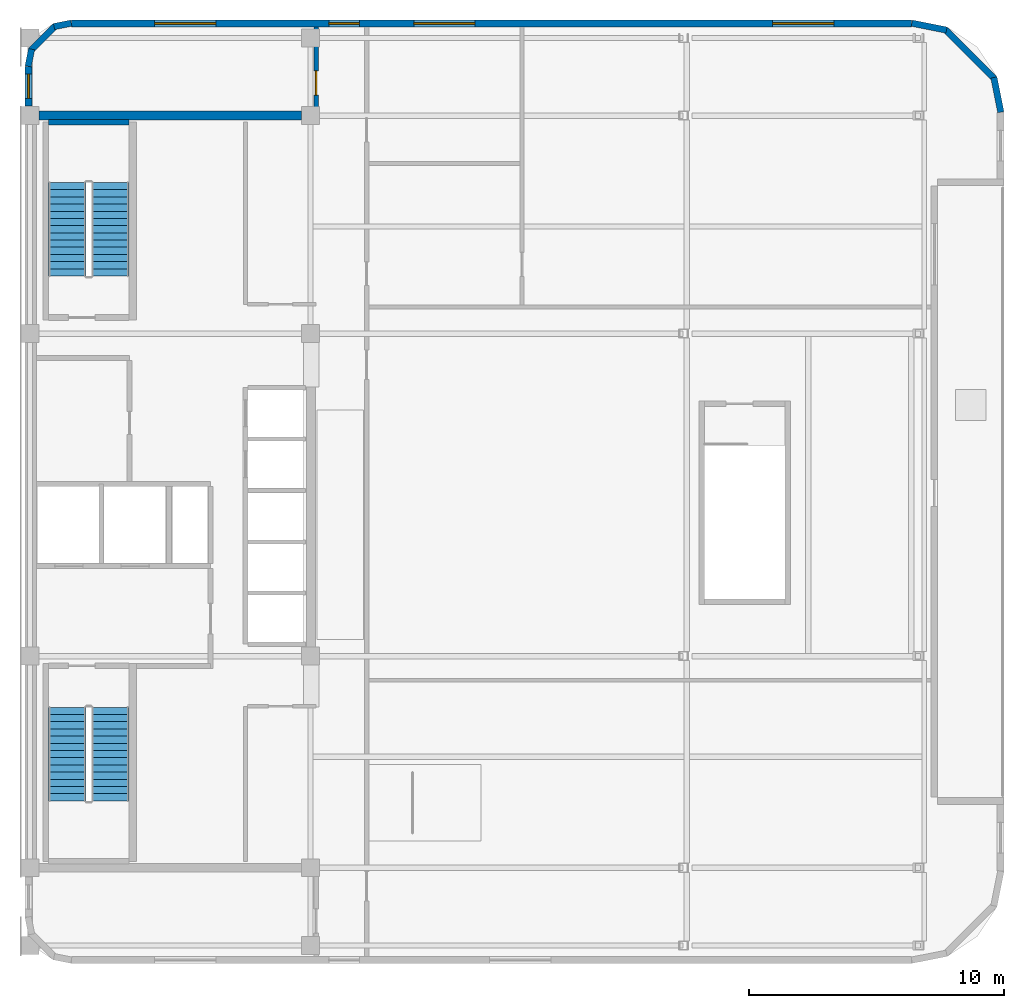
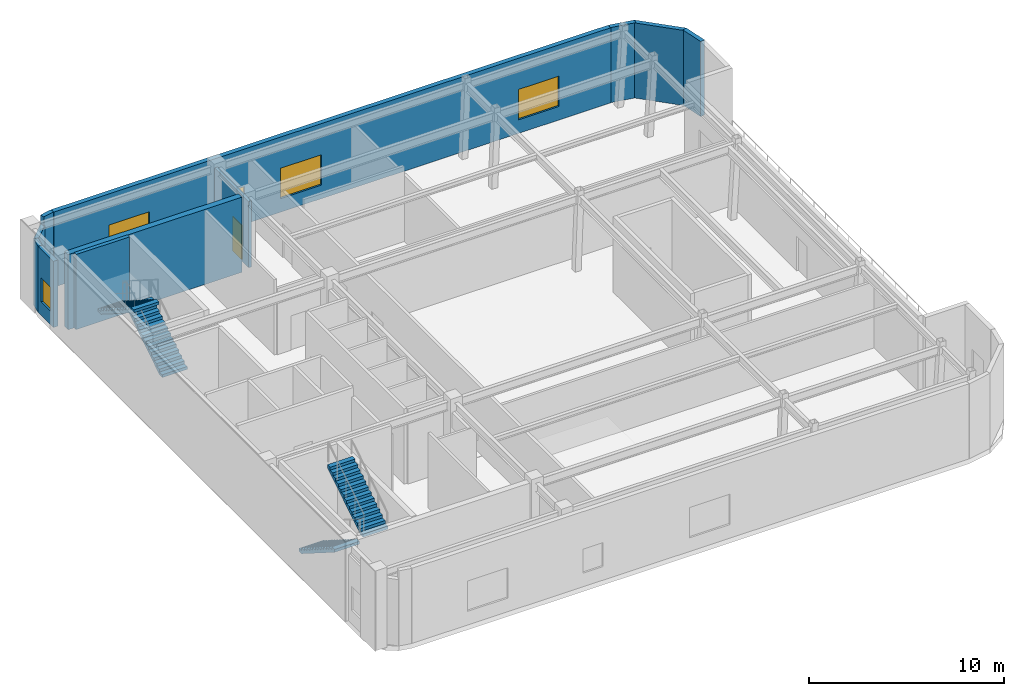
# One storey, part 4 of 6: 11 walls, 5 windows, 4 stair flights, 1 door, 6 openings, 2 elements without a shape of their own.
"""IFC4 building model written with IfcOpenShell, lengths in metres."""

from ifc_helpers import new_model, si_unit, direction, frame, frame_2d, origin, place, context, subcontext, project, spatial, polyline, rectangle, outline, extrude, material, layer, layer_set, type_object, element, fill, aggregate, save


model = new_model("IFC4")

# Units and contexts
model_context = context("Model", 3, precision=1e-05, world=origin(), true_north=direction((0.0, 1.0)))
body_context = subcontext(model_context, "Body", "Model", "MODEL_VIEW")
ifc_project = project(units=[si_unit("LENGTHUNIT", "METRE"), si_unit("AREAUNIT", "SQUARE_METRE"), si_unit("VOLUMEUNIT", "CUBIC_METRE"), si_unit("PLANEANGLEUNIT", "RADIAN"), si_unit("MASSUNIT", "GRAM", prefix="KILO")], contexts=[model_context])

# Site, building, storey
site_placement = place(None, origin())
site = spatial("IfcSite", under=ifc_project, at=site_placement, CompositionType="ELEMENT")
building_placement = place(site_placement, origin())
building = spatial("IfcBuilding", under=site, at=building_placement, Name="Ochreholt Gables", CompositionType="ELEMENT")
storey_placement = place(building_placement, frame((0.0, 0.0, 282.0)))
storey = spatial("IfcBuildingStorey", under=building, at=storey_placement, Name="L74", CompositionType="ELEMENT", Elevation=282.0)

# Wall
ifc_material_1 = material(Name="Concrete 50 MPa", Category="concrete")
ifc_layer_1 = layer(ifc_material_1, 0.35009765625, Name="Concrete 50 MPa")
ifc_layer_set_1 = layer_set([ifc_layer_1], Name="Concrete 50 MPa")
wall_type_1 = type_object("IfcWallType", Name="WALL-CSW-350", PredefinedType="SHEAR", material=ifc_layer_set_1)
wall_1_placement = place(storey_placement, frame((24.550048828125, 38.75, 0.0), z_axis=(0.0, 0.0, 1.0), x_axis=(1.0, 0.0, 0.0)))
element("IfcWall", 1, at=wall_1_placement, inside=storey, type_object=wall_type_1, Name="L74 Core North Shear Wall", PredefinedType="SHEAR", context=body_context, shape_type="SweptSolid", body=[
    extrude(rectangle(XDim=10.300048828125, YDim=0.35009765625, at=frame_2d((5.14990234375, 0.0))), origin(), (0.0, 0.0, 1.0), 4.699951171875),
])

# Wall, openings, windows
ifc_material_2 = material(Name="Precast concrete 40 MPa", Category="concrete")
ifc_layer_2 = layer(ifc_material_2, 0.27001953125, Name="Precast concrete 40 MPa")
ifc_layer_set_2 = layer_set([ifc_layer_2], Name="Precast concrete 40 MPa")
wall_type_2 = type_object("IfcWallType", Name="WALL-EXT-270", PredefinedType="SOLIDWALL", material=ifc_layer_set_2)
wall_2_placement = place(storey_placement, frame((58.780029296875, 42.364990234375, 0.0), z_axis=(0.0, 0.0, 1.0), x_axis=(-1.0, 0.0, 0.0)))
wall_2 = element("IfcWall", 2, at=wall_2_placement, inside=storey, type_object=wall_type_2, Name="L74 North Exterior Wall", PredefinedType="SOLIDWALL", context=body_context, shape_type="SweptSolid", body=[
    extrude(rectangle(XDim=32.9599609375, YDim=0.27001953125, at=frame_2d((16.47998046875, 0.0))), origin(), (0.0, 0.0, 1.0), 4.699951171875),
])
opening_1_placement = place(wall_2_placement, frame((27.2900390625, 0.0, 0.85009765625)))
opening_1 = element("IfcOpeningElement", 3, at=opening_1_placement, cuts=wall_2, Name="Opening WN-5", PredefinedType="OPENING", context=body_context, shape_type="SweptSolid", body=[
    extrude(rectangle(XDim=2.39990234375, YDim=1.89990234375, at=frame_2d((1.199951171875, 0.949951171875))), frame((0.0, 0.14501953125, 0.0), z_axis=(0.0, -1.0, 0.0), x_axis=(1.0, 0.0, 0.0)), (0.0, 0.0, 1.0), 0.2900390625),
])
opening_2_placement = place(wall_2_placement, frame((21.659912109375, 0.0, 0.85009765625)))
opening_2 = element("IfcOpeningElement", 4, at=opening_2_placement, cuts=wall_2, Name="Opening WN-3", PredefinedType="OPENING", context=body_context, shape_type="SweptSolid", body=[
    extrude(rectangle(XDim=1.199951171875, YDim=1.5, at=frame_2d((0.60009765625, 0.75))), frame((0.0, 0.14501953125, 0.0), z_axis=(0.0, -1.0, 0.0), x_axis=(1.0, 0.0, 0.0)), (0.0, 0.0, 1.0), 0.2900390625),
])
opening_3_placement = place(wall_2_placement, frame((17.1298828125, 0.0, 0.85009765625)))
opening_3 = element("IfcOpeningElement", 5, at=opening_3_placement, cuts=wall_2, Name="Opening WN-5", PredefinedType="OPENING", context=body_context, shape_type="SweptSolid", body=[
    extrude(rectangle(XDim=2.39990234375, YDim=1.89990234375, at=frame_2d((1.199951171875, 0.949951171875))), frame((0.0, 0.14501953125, 0.0), z_axis=(0.0, -1.0, 0.0), x_axis=(1.0, 0.0, 0.0)), (0.0, 0.0, 1.0), 0.2900390625),
])
opening_4_placement = place(wall_2_placement, frame((3.054443359375, 0.0, 0.85009765625)))
opening_4 = element("IfcOpeningElement", 6, at=opening_4_placement, cuts=wall_2, Name="Opening WN-5", PredefinedType="OPENING", context=body_context, shape_type="SweptSolid", body=[
    extrude(rectangle(XDim=2.39990234375, YDim=1.89990234375, at=frame_2d((1.199951171875, 0.949951171875))), frame((0.0, 0.14501953125, 0.0), z_axis=(0.0, -1.0, 0.0), x_axis=(1.0, 0.0, 0.0)), (0.0, 0.0, 1.0), 0.2900390625),
])
ifc_material_3 = material(Name="Triple-Glazed Thermally Broken Aluminium Window", Category="aluminium")
window_type_1 = type_object("IfcWindowType", Name="WIN-COM-2400", PartitioningType="SINGLE_PANEL", PredefinedType="WINDOW", material=ifc_material_3)
window_1_placement = place(opening_1_placement, origin())
window_1 = element("IfcWindow", 7, at=window_1_placement, inside=storey, type_object=window_type_1, Name="L74 Window W-EXT-N-L74-1", OverallHeight=1.89990234375, OverallWidth=2.39990234375, PartitioningType="SINGLE_PANEL", PredefinedType="WINDOW", context=body_context, shape_type="SweptSolid", body=[
    extrude(rectangle(XDim=2.39990234375, YDim=1.89990234375, at=frame_2d((1.199951171875, 0.949951171875))), frame((0.0, 0.030029296875, 0.0), z_axis=(0.0, -1.0, 0.0), x_axis=(1.0, 0.0, 0.0)), (0.0, 0.0, 1.0), 0.06005859375),
])
fill(opening_1, window_1)
window_2_placement = place(opening_3_placement, origin())
window_2 = element("IfcWindow", 8, at=window_2_placement, inside=storey, type_object=window_type_1, Name="L74 Window W-EXT-N-L74-3", OverallHeight=1.89990234375, OverallWidth=2.39990234375, PartitioningType="SINGLE_PANEL", PredefinedType="WINDOW", context=body_context, shape_type="SweptSolid", body=[
    extrude(rectangle(XDim=2.39990234375, YDim=1.89990234375, at=frame_2d((1.199951171875, 0.949951171875))), frame((0.0, 0.030029296875, 0.0), z_axis=(0.0, -1.0, 0.0), x_axis=(1.0, 0.0, 0.0)), (0.0, 0.0, 1.0), 0.06005859375),
])
fill(opening_3, window_2)
window_3_placement = place(opening_4_placement, origin())
window_3 = element("IfcWindow", 9, at=window_3_placement, inside=storey, type_object=window_type_1, Name="L74 Window W-EXT-N-L74-4", OverallHeight=1.89990234375, OverallWidth=2.39990234375, PartitioningType="SINGLE_PANEL", PredefinedType="WINDOW", context=body_context, shape_type="SweptSolid", body=[
    extrude(rectangle(XDim=2.39990234375, YDim=1.89990234375, at=frame_2d((1.199951171875, 0.949951171875))), frame((0.0, 0.030029296875, 0.0), z_axis=(0.0, -1.0, 0.0), x_axis=(1.0, 0.0, 0.0)), (0.0, 0.0, 1.0), 0.06005859375),
])
fill(opening_4, window_3)
window_type_2 = type_object("IfcWindowType", Name="WIN-RES-1200", PartitioningType="SINGLE_PANEL", PredefinedType="WINDOW", material=ifc_material_3)
window_4_placement = place(opening_2_placement, origin())
window_4 = element("IfcWindow", 10, at=window_4_placement, inside=storey, type_object=window_type_2, Name="L74 Window W-EXT-N-L74-2", OverallHeight=1.5, OverallWidth=1.199951171875, PartitioningType="SINGLE_PANEL", PredefinedType="WINDOW", context=body_context, shape_type="SweptSolid", body=[
    extrude(rectangle(XDim=1.199951171875, YDim=1.5, at=frame_2d((0.60009765625, 0.75))), frame((0.0, 0.030029296875, 0.0), z_axis=(0.0, -1.0, 0.0), x_axis=(1.0, 0.0, 0.0)), (0.0, 0.0, 1.0), 0.06005859375),
])
fill(opening_2, window_4)

# Wall, opening, window
wall_3_placement = place(storey_placement, frame((24.135009765625, 39.1201171875, 0.0), z_axis=(0.0, 0.0, 1.0), x_axis=(0.0, 1.0, 0.0)))
wall_3 = element("IfcWall", 11, at=wall_3_placement, inside=storey, type_object=wall_type_2, Name="L74 West Facade North Bay Wall", PredefinedType="SOLIDWALL", context=body_context, shape_type="SweptSolid", body=[
    extrude(rectangle(XDim=1.559814453125, YDim=0.27001953125, at=frame_2d((0.77978515625, 0.0))), origin(), (0.0, 0.0, 1.0), 4.14306640625),
])
opening_5_placement = place(wall_3_placement, frame((0.304931640625, 0.0, 0.85009765625)))
opening_5 = element("IfcOpeningElement", 12, at=opening_5_placement, cuts=wall_3, Name="Opening WN-10", PredefinedType="OPENING", context=body_context, shape_type="SweptSolid", body=[
    extrude(rectangle(XDim=0.949951171875, YDim=1.5, at=frame_2d((0.47509765625, 0.75))), frame((0.0, 0.14501953125, 0.0), z_axis=(0.0, -1.0, 0.0), x_axis=(1.0, 0.0, 0.0)), (0.0, 0.0, 1.0), 0.2900390625),
])
window_type_3 = type_object("IfcWindowType", Name="WIN-RES-950", PartitioningType="SINGLE_PANEL", PredefinedType="WINDOW", material=ifc_material_3)
window_5_placement = place(opening_5_placement, origin())
window_5 = element("IfcWindow", 13, at=window_5_placement, inside=storey, type_object=window_type_3, Name="L74 North Sky Reading West Window", OverallHeight=1.5, OverallWidth=0.949951171875, PartitioningType="SINGLE_PANEL", PredefinedType="WINDOW", context=body_context, shape_type="SweptSolid", body=[
    extrude(rectangle(XDim=0.949951171875, YDim=1.5, at=frame_2d((0.47509765625, 0.75))), frame((0.0, 0.030029296875, 0.0), z_axis=(0.0, -1.0, 0.0), x_axis=(1.0, 0.0, 0.0)), (0.0, 0.0, 1.0), 0.06005859375),
])
fill(opening_5, window_5)

# Walls
ifc_layer_3 = layer(ifc_material_2, 0.25, Name="Precast concrete 40 MPa")
ifc_layer_set_3 = layer_set([ifc_layer_3], Name="Precast concrete 40 MPa")
wall_type_3 = type_object("IfcWallType", Name="WALL-EXT-CNR", PredefinedType="SOLIDWALL", material=ifc_layer_set_3)
wall_4_placement = place(storey_placement, frame((62.27587890625, 38.883544921875, 0.0), z_axis=(0.0, 0.0, 1.0), x_axis=(-0.195135625965, 0.9807762678, 0.0)))
element("IfcWall", 14, at=wall_4_placement, inside=storey, type_object=wall_type_3, Name="L74 Rounded Corner Wall NE-1", PredefinedType="SOLIDWALL", context=body_context, shape_type="SweptSolid", body=[
    extrude(rectangle(XDim=1.388671875, YDim=0.25, at=frame_2d((0.6943359375, 0.0))), origin(), (0.0, 0.0, 1.0), 4.699951171875),
])
wall_5_placement = place(storey_placement, frame((62.031982421875, 40.195068359375, 0.0), z_axis=(0.0, 0.0, 1.0), x_axis=(-0.707106781187, 0.707106781187, 0.0)))
element("IfcWall", 15, at=wall_5_placement, inside=storey, type_object=wall_type_3, Name="L74 Rounded Corner Wall NE-2", PredefinedType="SOLIDWALL", context=body_context, shape_type="SweptSolid", body=[
    extrude(rectangle(XDim=2.7392578125, YDim=0.25, at=frame_2d((1.36962890625, 0.0))), origin(), (0.0, 0.0, 1.0), 4.699951171875),
])
wall_6_placement = place(storey_placement, frame((60.1455078125, 42.10498046875, 0.0), z_axis=(0.0, 0.0, 1.0), x_axis=(-0.980809899341, 0.19496651342, 0.0)))
element("IfcWall", 16, at=wall_6_placement, inside=storey, type_object=wall_type_3, Name="L74 Rounded Corner Wall NE-3", PredefinedType="SOLIDWALL", context=body_context, shape_type="SweptSolid", body=[
    extrude(rectangle(XDim=1.388671875, YDim=0.25, at=frame_2d((0.6943359375, 0.0))), origin(), (0.0, 0.0, 1.0), 4.699951171875),
])
wall_7_placement = place(storey_placement, frame((25.81640625, 42.375732421875, 0.0), z_axis=(0.0, 0.0, 1.0), x_axis=(-0.980812594069, -0.194952956674, 0.0)))
element("IfcWall", 17, at=wall_7_placement, inside=storey, type_object=wall_type_3, Name="L74 Rounded Corner Wall NW-1", PredefinedType="SOLIDWALL", context=body_context, shape_type="SweptSolid", body=[
    extrude(rectangle(XDim=0.686279296875, YDim=0.25, at=frame_2d((0.34326171875, 0.0))), origin(), (0.0, 0.0, 1.0), 4.699951171875),
])
wall_8_placement = place(storey_placement, frame((25.19384765625, 42.26904296875, 0.0), z_axis=(0.0, 0.0, 1.0), x_axis=(-0.707106781187, -0.707106781187, 0.0)))
element("IfcWall", 18, at=wall_8_placement, inside=storey, type_object=wall_type_3, Name="L74 Rounded Corner Wall NW-2", PredefinedType="SOLIDWALL", context=body_context, shape_type="SweptSolid", body=[
    extrude(rectangle(XDim=1.36181640625, YDim=0.25, at=frame_2d((0.680908203125, 0.0))), origin(), (0.0, 0.0, 1.0), 4.14306640625),
])
wall_9_placement = place(storey_placement, frame((24.258056640625, 41.356689453125, 0.0), z_axis=(0.0, 0.0, 1.0), x_axis=(-0.194952956674, -0.980812594069, 0.0)))
element("IfcWall", 19, at=wall_9_placement, inside=storey, type_object=wall_type_3, Name="L74 Rounded Corner Wall NW-3", PredefinedType="SOLIDWALL", context=body_context, shape_type="SweptSolid", body=[
    extrude(rectangle(XDim=0.686279296875, YDim=0.25, at=frame_2d((0.34326171875, 0.0))), origin(), (0.0, 0.0, 1.0), 4.14306640625),
])

# Wall, opening, door
ifc_material_4 = material(Name="Fire-Rated Gypsum Acoustic Partition", Category="gypsum")
ifc_layer_4 = layer(ifc_material_4, 0.179931640625, Name="Fire-Rated Gypsum Acoustic Partition")
ifc_layer_set_4 = layer_set([ifc_layer_4], Name="Fire-Rated Gypsum Acoustic Partition")
wall_type_4 = type_object("IfcWallType", Name="WALL-INT-CR180", PredefinedType="STANDARD", material=ifc_layer_set_4)
wall_10_placement = place(storey_placement, frame((35.419921875, 38.75, 0.0), z_axis=(0.0, 0.0, 1.0), x_axis=(0.0, 1.0, 0.0)))
wall_10 = element("IfcWall", 20, at=wall_10_placement, inside=storey, type_object=wall_type_4, Name="L74 Interior Wall WI-CMCNW0-L74", PredefinedType="STANDARD", context=body_context, shape_type="SweptSolid", body=[
    extrude(rectangle(XDim=3.47998046875, YDim=0.179931640625, at=frame_2d((1.739990234375, 0.0))), origin(), (0.0, 0.0, 1.0), 4.14306640625),
])
opening_6_placement = place(wall_10_placement, frame((0.800048828125, 0.0, 0.0)))
opening_6 = element("IfcOpeningElement", 21, at=opening_6_placement, cuts=wall_10, Name="Opening D-GN1", PredefinedType="OPENING", context=body_context, shape_type="SweptSolid", body=[
    extrude(rectangle(XDim=0.949951171875, YDim=2.14990234375, at=frame_2d((0.47509765625, 1.074951171875))), frame((0.0, 0.099853515625, 0.0), z_axis=(0.0, -1.0, 0.0), x_axis=(1.0, 0.0, 0.0)), (0.0, 0.0, 1.0), 0.199951171875),
])
ifc_material_5 = material(Name="Engineered Oak Timber", Category="wood")
door_type = type_object("IfcDoorType", Name="DR-INT-GEN950", OperationType="NOTDEFINED", PredefinedType="DOOR", material=ifc_material_5)
door_placement = place(opening_6_placement, origin())
door = element("IfcDoor", 22, at=door_placement, inside=storey, type_object=door_type, Name="L74 Door D-CMCN-L74", OperationType="SINGLE_SWING_RIGHT", OverallHeight=2.14990234375, OverallWidth=0.949951171875, PredefinedType="DOOR", context=body_context, shape_type="SweptSolid", body=[
    extrude(rectangle(XDim=0.949951171875, YDim=2.14990234375, at=frame_2d((0.47509765625, 1.074951171875))), frame((0.0, 0.02490234375, 0.0), z_axis=(0.0, -1.0, 0.0), x_axis=(1.0, 0.0, 0.0)), (0.0, 0.0, 1.0), 0.050048828125),
])
fill(opening_6, door)

# Wall
ifc_layer_5 = layer(ifc_material_1, 0.219970703125, Name="Concrete 50 MPa")
ifc_layer_set_5 = layer_set([ifc_layer_5], Name="Concrete 50 MPa")
wall_type_5 = type_object("IfcWallType", Name="WALL-STW-220", PredefinedType="SHEAR", material=ifc_layer_set_5)
wall_11_placement = place(storey_placement, frame((24.919921875, 38.489990234375, 0.0), z_axis=(0.0, 0.0, 1.0), x_axis=(1.0, 0.0, 0.0)))
element("IfcWall", 23, at=wall_11_placement, inside=storey, type_object=wall_type_5, Name="L74 Exit Stair 2 North Wall", PredefinedType="SHEAR", context=body_context, shape_type="SweptSolid", body=[
    extrude(rectangle(XDim=3.16015625, YDim=0.219970703125, at=frame_2d((1.580078125, 0.0))), origin(), (0.0, 0.0, 1.0), 4.699951171875),
])

# Stair, stair flights
ifc_material_6 = material(Name="Concrete 40 MPa", Category="concrete")
stair_type_1 = type_object("IfcStairType", Name="STAIR-CORE-ST-1", PredefinedType="HALF_TURN_STAIR", material=ifc_material_6)
stair_1_placement = place(storey_placement, origin())
stair_1 = element("IfcStair", 24, at=stair_1_placement, inside=storey, type_object=stair_type_1, Name="L74 Core Exit Stair 1", PredefinedType="HALF_TURN_STAIR")
stair_flight_type = type_object("IfcStairFlightType", Name="FLIGHT-ST-1480-1786", PredefinedType="STRAIGHT", material=ifc_material_6)
stair_flight_1_placement = place(storey_placement, frame((25.659912109375, 15.5400390625, 0.0), z_axis=(0.0, 0.0, 1.0), x_axis=(0.0, -1.0, 0.0)))
stair_flight_1 = element("IfcStairFlight", 25, at=stair_flight_1_placement, type_object=stair_flight_type, Name="ST-1 flight 1", NumberOfRisers=14, NumberOfTreads=13, PredefinedType="STRAIGHT", RiserHeight=0.178571429, TreadLength=0.282, context=body_context, shape_type="SweptSolid", body=[
    extrude(outline(polyline([(0.0, 0.0), (0.0, 0.178466796875), (0.281982421875, 0.178466796875), (0.281982421875, 0.357177734375), (0.56396484375, 0.357177734375), (0.56396484375, 0.53564453125), (0.845947265625, 0.53564453125), (0.845947265625, 0.71435546875), (1.1279296875, 0.71435546875), (1.1279296875, 0.892822265625), (1.409912109375, 0.892822265625), (1.409912109375, 1.071533203125), (1.69189453125, 1.071533203125), (1.69189453125, 1.25), (1.97412109375, 1.25), (1.97412109375, 1.428466796875), (2.256103515625, 1.428466796875), (2.256103515625, 1.607177734375), (2.5380859375, 1.607177734375), (2.5380859375, 1.78564453125), (2.820068359375, 1.78564453125), (2.820068359375, 1.96435546875), (3.10205078125, 1.96435546875), (3.10205078125, 2.142822265625), (3.384033203125, 2.142822265625), (3.384033203125, 2.321533203125), (3.666015625, 2.321533203125), (3.666015625, 2.5), (3.666015625, 2.14404296875), (0.2802734375, 0.0), (0.0, 0.0)])), frame((0.0, 0.739990234375, 0.0), z_axis=(0.0, -1.0, 0.0), x_axis=(1.0, 0.0, 0.0)), (0.0, 0.0, 1.0), 1.47998046875),
])
stair_flight_2_placement = place(storey_placement, frame((27.340087890625, 11.8740234375, 2.5), z_axis=(0.0, 0.0, 1.0), x_axis=(0.0, 1.0, 0.0)))
stair_flight_2 = element("IfcStairFlight", 26, at=stair_flight_2_placement, type_object=stair_flight_type, Name="ST-1 flight 2", NumberOfRisers=14, NumberOfTreads=13, PredefinedType="STRAIGHT", RiserHeight=0.178571429, TreadLength=0.282, context=body_context, shape_type="SweptSolid", body=[
    extrude(outline(polyline([(0.0, 0.0), (0.0, 0.178466796875), (0.281982421875, 0.178466796875), (0.281982421875, 0.357177734375), (0.56396484375, 0.357177734375), (0.56396484375, 0.53564453125), (0.845947265625, 0.53564453125), (0.845947265625, 0.71435546875), (1.1279296875, 0.71435546875), (1.1279296875, 0.892822265625), (1.409912109375, 0.892822265625), (1.409912109375, 1.071533203125), (1.69189453125, 1.071533203125), (1.69189453125, 1.25), (1.97412109375, 1.25), (1.97412109375, 1.428466796875), (2.256103515625, 1.428466796875), (2.256103515625, 1.607177734375), (2.5380859375, 1.607177734375), (2.5380859375, 1.78564453125), (2.820068359375, 1.78564453125), (2.820068359375, 1.96435546875), (3.10205078125, 1.96435546875), (3.10205078125, 2.142822265625), (3.384033203125, 2.142822265625), (3.384033203125, 2.321533203125), (3.666015625, 2.321533203125), (3.666015625, 2.5), (3.666015625, 2.14404296875), (0.2802734375, 0.0), (0.0, 0.0)])), frame((0.0, 0.739990234375, 0.0), z_axis=(0.0, -1.0, 0.0), x_axis=(1.0, 0.0, 0.0)), (0.0, 0.0, 1.0), 1.47998046875),
])
aggregate(stair_1, [stair_flight_1, stair_flight_2])

stair_type_2 = type_object("IfcStairType", Name="STAIR-CORE-ST-2", PredefinedType="HALF_TURN_STAIR", material=ifc_material_6)
stair_2_placement = place(storey_placement, origin())
stair_2 = element("IfcStair", 27, at=stair_2_placement, inside=storey, type_object=stair_type_2, Name="L74 Core Exit Stair 2", PredefinedType="HALF_TURN_STAIR")
stair_flight_3_placement = place(storey_placement, frame((27.340087890625, 32.4599609375, 0.0), z_axis=(0.0, 0.0, 1.0), x_axis=(0.0, 1.0, 0.0)))
stair_flight_3 = element("IfcStairFlight", 28, at=stair_flight_3_placement, type_object=stair_flight_type, Name="ST-2 flight 1", NumberOfRisers=14, NumberOfTreads=13, PredefinedType="STRAIGHT", RiserHeight=0.178571429, TreadLength=0.282, context=body_context, shape_type="SweptSolid", body=[
    extrude(outline(polyline([(0.0, 0.0), (0.0, 0.178466796875), (0.281982421875, 0.178466796875), (0.281982421875, 0.357177734375), (0.56396484375, 0.357177734375), (0.56396484375, 0.53564453125), (0.845947265625, 0.53564453125), (0.845947265625, 0.71435546875), (1.1279296875, 0.71435546875), (1.1279296875, 0.892822265625), (1.409912109375, 0.892822265625), (1.409912109375, 1.071533203125), (1.69189453125, 1.071533203125), (1.69189453125, 1.25), (1.97412109375, 1.25), (1.97412109375, 1.428466796875), (2.256103515625, 1.428466796875), (2.256103515625, 1.607177734375), (2.5380859375, 1.607177734375), (2.5380859375, 1.78564453125), (2.820068359375, 1.78564453125), (2.820068359375, 1.96435546875), (3.10205078125, 1.96435546875), (3.10205078125, 2.142822265625), (3.384033203125, 2.142822265625), (3.384033203125, 2.321533203125), (3.666015625, 2.321533203125), (3.666015625, 2.5), (3.666015625, 2.14404296875), (0.2802734375, 0.0), (0.0, 0.0)])), frame((0.0, 0.739990234375, 0.0), z_axis=(0.0, -1.0, 0.0), x_axis=(1.0, 0.0, 0.0)), (0.0, 0.0, 1.0), 1.47998046875),
])
stair_flight_4_placement = place(storey_placement, frame((25.659912109375, 36.1259765625, 2.5), z_axis=(0.0, 0.0, 1.0), x_axis=(0.0, -1.0, 0.0)))
stair_flight_4 = element("IfcStairFlight", 29, at=stair_flight_4_placement, type_object=stair_flight_type, Name="ST-2 flight 2", NumberOfRisers=14, NumberOfTreads=13, PredefinedType="STRAIGHT", RiserHeight=0.178571429, TreadLength=0.282, context=body_context, shape_type="SweptSolid", body=[
    extrude(outline(polyline([(0.0, 0.0), (0.0, 0.178466796875), (0.281982421875, 0.178466796875), (0.281982421875, 0.357177734375), (0.56396484375, 0.357177734375), (0.56396484375, 0.53564453125), (0.845947265625, 0.53564453125), (0.845947265625, 0.71435546875), (1.1279296875, 0.71435546875), (1.1279296875, 0.892822265625), (1.409912109375, 0.892822265625), (1.409912109375, 1.071533203125), (1.69189453125, 1.071533203125), (1.69189453125, 1.25), (1.97412109375, 1.25), (1.97412109375, 1.428466796875), (2.256103515625, 1.428466796875), (2.256103515625, 1.607177734375), (2.5380859375, 1.607177734375), (2.5380859375, 1.78564453125), (2.820068359375, 1.78564453125), (2.820068359375, 1.96435546875), (3.10205078125, 1.96435546875), (3.10205078125, 2.142822265625), (3.384033203125, 2.142822265625), (3.384033203125, 2.321533203125), (3.666015625, 2.321533203125), (3.666015625, 2.5), (3.666015625, 2.14404296875), (0.2802734375, 0.0), (0.0, 0.0)])), frame((0.0, 0.739990234375, 0.0), z_axis=(0.0, -1.0, 0.0), x_axis=(1.0, 0.0, 0.0)), (0.0, 0.0, 1.0), 1.47998046875),
])
aggregate(stair_2, [stair_flight_3, stair_flight_4])

save(model, "model.ifc")
